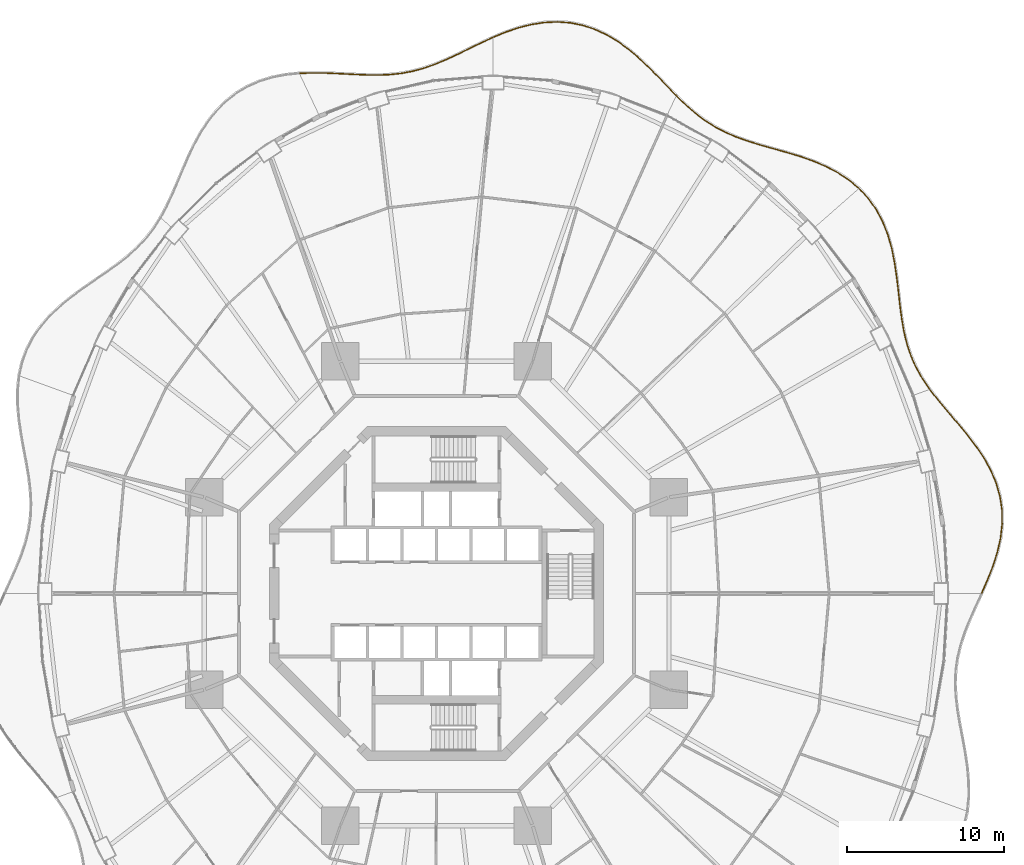
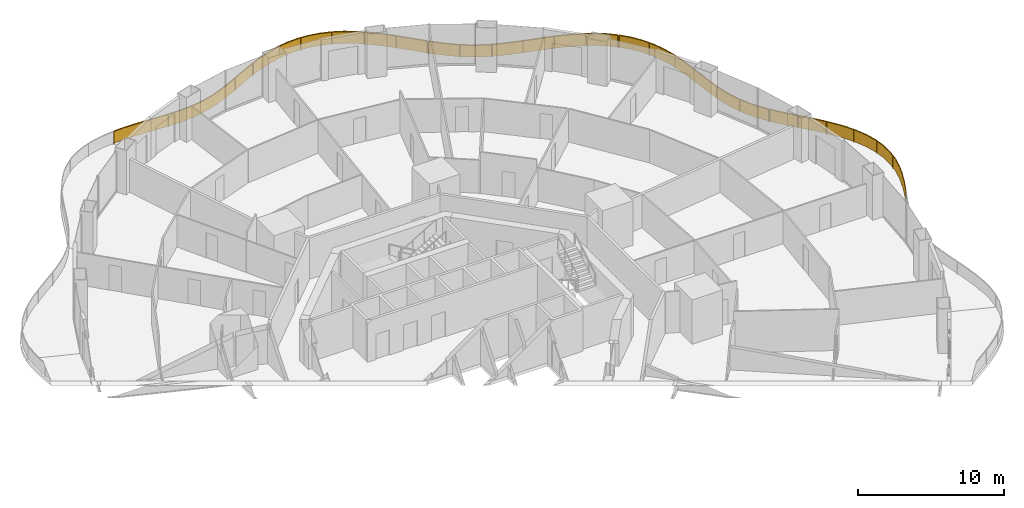
# One storey, part 22 of 22: 5 railings.
"""IFC4 building model written with IfcOpenShell, lengths in metres."""

from ifc_helpers import new_model, si_unit, direction, frame, origin, origin_2d, place, context, subcontext, project, spatial, polyline, rectangle, outline, extrude, material, type_object, element, save


model = new_model("IFC4")

# Units and contexts
model_context = context("Model", 3, precision=1e-05, world=origin(), true_north=direction((0.0, 1.0)))
body_context = subcontext(model_context, "Body", "Model", "MODEL_VIEW")
ifc_project = project(units=[si_unit("LENGTHUNIT", "METRE"), si_unit("AREAUNIT", "SQUARE_METRE"), si_unit("VOLUMEUNIT", "CUBIC_METRE"), si_unit("PLANEANGLEUNIT", "RADIAN"), si_unit("MASSUNIT", "GRAM", prefix="KILO")], contexts=[model_context])

# Site, building, storey
site_placement = place(None, origin())
site = spatial("IfcSite", under=ifc_project, at=site_placement, CompositionType="ELEMENT")
building_placement = place(site_placement, origin())
building = spatial("IfcBuilding", under=site, at=building_placement, Name="Nagisa Residences", CompositionType="ELEMENT")
storey_placement = place(building_placement, frame((0.0, 0.0, 49.199951171875)))
storey = spatial("IfcBuildingStorey", under=building, at=storey_placement, Name="L11", CompositionType="ELEMENT", Elevation=49.199951171875)

# Railings
ifc_material = material(Name="Stainless steel 316", Category="steel")
railing_type = type_object("IfcRailingType", Name="BALCONY GUARD 1100", PredefinedType="BALUSTRADE", material=ifc_material)
railing_1_placement = place(storey_placement, frame((34.689453125, 0.03466796875, 0.0)))
element("IfcRailing", 1, at=railing_1_placement, inside=storey, type_object=railing_type, Name="guard:L11:bal00-0", PredefinedType="BALUSTRADE", context=body_context, shape_type="SweptSolid", body=[
    extrude(outline(polyline([(0.339599609375, 0.828857421875), (-0.02294921875, 0.01025390625), (0.02294921875, -0.01025390625), (0.385986328125, 0.809326171875), (0.73095703125, 1.68701171875), (1.016357421875, 2.57763671875), (1.219482421875, 3.4765625), (1.322509765625, 4.37744140625), (1.31396484375, 5.259033203125), (1.185302734375, 6.1416015625), (0.939453125, 7.003662109375), (0.584228515625, 7.840087890625), (0.134033203125, 8.647216796875), (-0.38818359375, 9.41015625), (-0.96533203125, 10.157470703125), (-1.5693359375, 10.88037109375), (-2.174072265625, 11.584716796875), (-2.75537109375, 12.279541015625), (-3.267822265625, 12.940185546875), (-3.307373046875, 12.909423828125), (-2.79443359375, 12.248291015625), (-2.212158203125, 11.552490234375), (-1.607421875, 10.84814453125), (-1.00439453125, 10.126220703125), (-0.4287109375, 9.380859375), (0.091552734375, 8.620849609375), (0.539306640625, 7.818115234375), (0.89208984375, 6.987060546875), (1.136474609375, 6.130859375), (1.26416015625, 5.255126953125), (1.272216796875, 4.3798828125), (1.170166015625, 3.48486328125), (0.968017578125, 2.5908203125), (0.68359375, 1.70361328125), (0.339599609375, 0.828857421875)])), frame((0.0, 0.0, 1.050048828125)), (0.0, 0.0, 1.0), 0.050048828125),
    extrude(outline(polyline([(0.3564453125, 0.82177734375), (-0.00634765625, 0.0029296875), (0.00634765625, -0.0029296875), (0.369140625, 0.81640625), (0.7138671875, 1.69287109375), (0.9990234375, 2.582275390625), (1.20166015625, 3.4794921875), (1.304443359375, 4.37841796875), (1.296142578125, 5.257568359375), (1.167724609375, 6.1376953125), (0.92236328125, 6.997802734375), (0.568115234375, 7.832275390625), (0.11865234375, 8.6376953125), (-0.40283203125, 9.399658203125), (-0.9794921875, 10.146240234375), (-1.5830078125, 10.868896484375), (-2.187744140625, 11.5732421875), (-2.76953125, 12.268310546875), (-3.281982421875, 12.92919921875), (-3.293212890625, 12.92041015625), (-2.7802734375, 12.259521484375), (-2.198486328125, 11.56396484375), (-1.59375, 10.859619140625), (-0.990234375, 10.137451171875), (-0.4140625, 9.391357421875), (0.10693359375, 8.63037109375), (0.555419921875, 7.825927734375), (0.9091796875, 6.992919921875), (1.154052734375, 6.134765625), (1.281982421875, 5.256591796875), (1.290283203125, 4.37890625), (1.18798828125, 3.48193359375), (0.9853515625, 2.586181640625), (0.70068359375, 1.69775390625), (0.3564453125, 0.82177734375)])), frame((0.0, 0.0, 0.06005859375)), (0.0, 0.0, 1.0), 0.989990234375),
    extrude(rectangle(XDim=0.0400390625, YDim=0.0400390625, at=origin_2d()), origin(), (0.0, 0.0, 1.0), 1.050048828125),
    extrude(rectangle(XDim=0.0400390625, YDim=0.0400390625, at=origin_2d()), frame((0.78125, 1.92626953125, 0.0)), (0.0, 0.0, 1.0), 1.050048828125),
    extrude(rectangle(XDim=0.0400390625, YDim=0.0400390625, at=origin_2d()), frame((1.248046875, 3.94775390625, 0.0)), (0.0, 0.0, 1.0), 1.050048828125),
    extrude(rectangle(XDim=0.0400390625, YDim=0.0400390625, at=origin_2d()), frame((1.17822265625, 6.016845703125, 0.0)), (0.0, 0.0, 1.0), 1.050048828125),
    extrude(rectangle(XDim=0.0400390625, YDim=0.0400390625, at=origin_2d()), frame((0.483642578125, 7.968994140625, 0.0)), (0.0, 0.0, 1.0), 1.050048828125),
    extrude(rectangle(XDim=0.0400390625, YDim=0.0400390625, at=origin_2d()), frame((-0.650390625, 9.708740234375, 0.0)), (0.0, 0.0, 1.0), 1.050048828125),
    extrude(rectangle(XDim=0.0400390625, YDim=0.0400390625, at=origin_2d()), frame((-1.9736328125, 11.31298828125, 0.0)), (0.0, 0.0, 1.0), 1.050048828125),
    extrude(rectangle(XDim=0.0400390625, YDim=0.0400390625, at=origin_2d()), frame((-3.28759765625, 12.9248046875, 0.0)), (0.0, 0.0, 1.0), 1.050048828125),
])
railing_2_placement = place(storey_placement, frame((31.357666015625, 13.016845703125, 0.0)))
element("IfcRailing", 2, at=railing_2_placement, inside=storey, type_object=railing_type, Name="guard:L11:bal01-0", PredefinedType="BALUSTRADE", context=body_context, shape_type="SweptSolid", body=[
    extrude(outline(polyline([(-0.46142578125, 0.63525390625), (-0.020751953125, -0.01416015625), (0.020751953125, 0.01416015625), (-0.4189453125, 0.66162109375), (-0.8154296875, 1.36279296875), (-1.141357421875, 2.09033203125), (-1.39892578125, 2.8505859375), (-1.5947265625, 3.645751953125), (-1.734375, 4.4638671875), (-1.84765625, 5.32763671875), (-1.947509765625, 6.2177734375), (-2.054443359375, 7.1240234375), (-2.18994140625, 8.0341796875), (-2.364990234375, 8.922607421875), (-2.614013671875, 9.798583984375), (-2.942138671875, 10.635009765625), (-3.358154296875, 11.41796875), (-3.86572265625, 12.13623046875), (-4.431640625, 12.745361328125), (-4.46826171875, 12.711181640625), (-3.90478515625, 12.1044921875), (-3.400634765625, 11.3916015625), (-2.987548828125, 10.614013671875), (-2.661376953125, 9.782470703125), (-2.413818359375, 8.910888671875), (-2.2392578125, 8.02587890625), (-2.104248046875, 7.1171875), (-1.997314453125, 6.2119140625), (-1.8974609375, 5.32177734375), (-1.78369140625, 4.45654296875), (-1.6435546875, 3.635498046875), (-1.44677734375, 2.83642578125), (-1.188232421875, 2.072265625), (-0.8603515625, 1.34033203125), (-0.46142578125, 0.63525390625)])), frame((0.0, 0.0, 1.050048828125)), (0.0, 0.0, 1.0), 0.050048828125),
    extrude(outline(polyline([(-0.446044921875, 0.644775390625), (-0.005859375, -0.00390625), (0.005859375, 0.00390625), (-0.434326171875, 0.652099609375), (-0.83154296875, 1.354736328125), (-1.158203125, 2.083740234375), (-1.416015625, 2.845458984375), (-1.6123046875, 3.64208984375), (-1.752197265625, 4.461181640625), (-1.86572265625, 5.325439453125), (-1.965576171875, 6.215576171875), (-2.072509765625, 7.12158203125), (-2.207763671875, 8.03125), (-2.382568359375, 8.91845703125), (-2.631103515625, 9.792724609375), (-2.95849609375, 10.62744140625), (-3.37353515625, 11.408447265625), (-3.8798828125, 12.124755859375), (-4.44482421875, 12.733154296875), (-4.455078125, 12.723388671875), (-3.890625, 12.115966796875), (-3.38525390625, 11.401123046875), (-2.97119140625, 10.62158203125), (-2.644287109375, 9.788330078125), (-2.396240234375, 8.9150390625), (-2.221435546875, 8.02880859375), (-2.086181640625, 7.11962890625), (-1.979248046875, 6.214111328125), (-1.87939453125, 5.323974609375), (-1.765869140625, 4.459228515625), (-1.6259765625, 3.63916015625), (-1.4296875, 2.841552734375), (-1.17138671875, 2.078857421875), (-0.84423828125, 1.348388671875), (-0.446044921875, 0.644775390625)])), frame((0.0, 0.0, 0.06005859375)), (0.0, 0.0, 1.0), 0.989990234375),
    extrude(rectangle(XDim=0.0400390625, YDim=0.0400390625, at=origin_2d()), origin(), (0.0, 0.0, 1.0), 1.050048828125),
    extrude(rectangle(XDim=0.0400390625, YDim=0.0400390625, at=origin_2d()), frame((-1.123779296875, 1.98974609375, 0.0)), (0.0, 0.0, 1.0), 1.050048828125),
    extrude(rectangle(XDim=0.0400390625, YDim=0.0400390625, at=origin_2d()), frame((-1.714111328125, 4.197509765625, 0.0)), (0.0, 0.0, 1.0), 1.050048828125),
    extrude(rectangle(XDim=0.0400390625, YDim=0.0400390625, at=origin_2d()), frame((-2.00244140625, 6.4697265625, 0.0)), (0.0, 0.0, 1.0), 1.050048828125),
    extrude(rectangle(XDim=0.0400390625, YDim=0.0400390625, at=origin_2d()), frame((-2.35302734375, 8.732421875, 0.0)), (0.0, 0.0, 1.0), 1.050048828125),
    extrude(rectangle(XDim=0.0400390625, YDim=0.0400390625, at=origin_2d()), frame((-3.10498046875, 10.888427734375, 0.0)), (0.0, 0.0, 1.0), 1.050048828125),
    extrude(rectangle(XDim=0.0400390625, YDim=0.0400390625, at=origin_2d()), frame((-4.449951171875, 12.728271484375, 0.0)), (0.0, 0.0, 1.0), 1.050048828125),
])
railing_3_placement = place(storey_placement, frame((26.8515625, 25.798095703125, 0.0)))
element("IfcRailing", 3, at=railing_3_placement, inside=storey, type_object=railing_type, Name="guard:L11:bal02-0", PredefinedType="BALUSTRADE", context=body_context, shape_type="SweptSolid", body=[
    extrude(outline(polyline([(-0.62548828125, 0.48974609375), (-0.01611328125, -0.019287109375), (0.01611328125, 0.019287109375), (-0.595703125, 0.52978515625), (-1.310302734375, 1.000732421875), (-2.079345703125, 1.404296875), (-2.88818359375, 1.74755859375), (-3.7216796875, 2.041259765625), (-4.552490234375, 2.28759765625), (-5.389404296875, 2.52392578125), (-6.20849609375, 2.755126953125), (-6.99951171875, 2.99755859375), (-7.75537109375, 3.266357421875), (-8.458984375, 3.56494140625), (-9.13818359375, 3.921875), (-9.783203125, 4.333984375), (-10.39990234375, 4.802978515625), (-10.996826171875, 5.326416015625), (-11.551513671875, 5.866943359375), (-11.586669921875, 5.831298828125), (-11.031005859375, 5.289794921875), (-10.431640625, 4.764404296875), (-9.81201171875, 4.29296875), (-9.16357421875, 3.87841796875), (-8.48046875, 3.51953125), (-7.7734375, 3.219482421875), (-7.01513671875, 2.9501953125), (-6.22265625, 2.707275390625), (-5.403076171875, 2.4755859375), (-4.566162109375, 2.23974609375), (-3.7373046875, 1.993408203125), (-2.90625, 1.70068359375), (-2.100830078125, 1.35888671875), (-1.335693359375, 0.957763671875), (-0.62548828125, 0.48974609375)])), frame((0.0, 0.0, 1.050048828125)), (0.0, 0.0, 1.0), 0.050048828125),
    extrude(outline(polyline([(-0.61474609375, 0.504150390625), (-0.00439453125, -0.00537109375), (0.00439453125, 0.00537109375), (-0.6064453125, 0.515380859375), (-1.3193359375, 0.9853515625), (-2.087158203125, 1.387939453125), (-2.894775390625, 1.730712890625), (-3.727294921875, 2.02392578125), (-4.557373046875, 2.2705078125), (-5.394287109375, 2.506591796875), (-6.213623046875, 2.738037109375), (-7.005126953125, 2.98046875), (-7.761962890625, 3.24951171875), (-8.466796875, 3.548583984375), (-9.1474609375, 3.90625), (-9.793701171875, 4.3193359375), (-10.411376953125, 4.7890625), (-11.00927734375, 5.313232421875), (-11.564208984375, 5.854248046875), (-11.573974609375, 5.843994140625), (-11.0185546875, 5.302978515625), (-10.420166015625, 4.7783203125), (-9.801513671875, 4.3076171875), (-9.154296875, 3.89404296875), (-8.47265625, 3.535888671875), (-7.766845703125, 3.236328125), (-7.009521484375, 2.96728515625), (-6.217529296875, 2.724365234375), (-5.398193359375, 2.492919921875), (-4.561279296875, 2.2568359375), (-3.731689453125, 2.0107421875), (-2.899658203125, 1.717529296875), (-2.093017578125, 1.375244140625), (-1.32666015625, 0.97314453125), (-0.61474609375, 0.504150390625)])), frame((0.0, 0.0, 0.06005859375)), (0.0, 0.0, 1.0), 0.989990234375),
    extrude(rectangle(XDim=0.0400390625, YDim=0.0400390625, at=origin_2d()), origin(), (0.0, 0.0, 1.0), 1.050048828125),
    extrude(rectangle(XDim=0.0400390625, YDim=0.0400390625, at=origin_2d()), frame((-1.802734375, 1.23095703125, 0.0)), (0.0, 0.0, 1.0), 1.050048828125),
    extrude(rectangle(XDim=0.0400390625, YDim=0.0400390625, at=origin_2d()), frame((-3.83203125, 2.0478515625, 0.0)), (0.0, 0.0, 1.0), 1.050048828125),
    extrude(rectangle(XDim=0.0400390625, YDim=0.0400390625, at=origin_2d()), frame((-5.937255859375, 2.652587890625, 0.0)), (0.0, 0.0, 1.0), 1.050048828125),
    extrude(rectangle(XDim=0.0400390625, YDim=0.0400390625, at=origin_2d()), frame((-8.0126953125, 3.34814453125, 0.0)), (0.0, 0.0, 1.0), 1.050048828125),
    extrude(rectangle(XDim=0.0400390625, YDim=0.0400390625, at=origin_2d()), frame((-9.92236328125, 4.408447265625, 0.0)), (0.0, 0.0, 1.0), 1.050048828125),
    extrude(rectangle(XDim=0.0400390625, YDim=0.0400390625, at=origin_2d()), frame((-11.569091796875, 5.84912109375, 0.0)), (0.0, 0.0, 1.0), 1.050048828125),
])
railing_4_placement = place(storey_placement, frame((15.2314453125, 31.700927734375, 0.0)))
element("IfcRailing", 4, at=railing_4_placement, inside=storey, type_object=railing_type, Name="guard:L11:bal03-0", PredefinedType="BALUSTRADE", context=body_context, shape_type="SweptSolid", body=[
    extrude(outline(polyline([(-0.552978515625, 0.53564453125), (-0.01806640625, -0.017333984375), (0.01806640625, 0.017333984375), (-0.516845703125, 0.5703125), (-1.095458984375, 1.172607421875), (-1.69287109375, 1.77734375), (-2.3173828125, 2.366943359375), (-2.972900390625, 2.923095703125), (-3.646484375, 3.42236328125), (-4.3720703125, 3.85888671875), (-5.130615234375, 4.212646484375), (-5.918212890625, 4.47412109375), (-6.72900390625, 4.63623046875), (-7.53955078125, 4.694091796875), (-8.373291015625, 4.6552734375), (-9.208740234375, 4.52490234375), (-10.036865234375, 4.3134765625), (-10.852294921875, 4.035888671875), (-11.605712890625, 3.72412109375), (-11.586669921875, 3.677734375), (-10.834716796875, 3.989013671875), (-10.022705078125, 4.265625), (-9.198486328125, 4.4755859375), (-8.368408203125, 4.60546875), (-7.5400390625, 4.643798828125), (-6.73583984375, 4.58642578125), (-5.930908203125, 4.42578125), (-5.149169921875, 4.166259765625), (-4.3955078125, 3.814453125), (-3.67431640625, 3.380859375), (-3.004150390625, 2.884033203125), (-2.3505859375, 2.329833984375), (-1.72802734375, 1.74169921875), (-1.131103515625, 1.137451171875), (-0.552978515625, 0.53564453125)])), frame((0.0, 0.0, 1.050048828125)), (0.0, 0.0, 1.0), 0.050048828125),
    extrude(outline(polyline([(-0.5400390625, 0.548095703125), (-0.005126953125, -0.0048828125), (0.005126953125, 0.0048828125), (-0.52978515625, 0.557861328125), (-1.108154296875, 1.159912109375), (-1.70556640625, 1.7646484375), (-2.329345703125, 2.353515625), (-2.984130859375, 2.908935546875), (-3.656494140625, 3.407470703125), (-4.380615234375, 3.8427734375), (-5.13720703125, 4.196044921875), (-5.9228515625, 4.456787109375), (-6.7314453125, 4.6181640625), (-7.539794921875, 4.676025390625), (-8.37158203125, 4.637451171875), (-9.205078125, 4.507080078125), (-10.03173828125, 4.29638671875), (-10.845947265625, 4.01904296875), (-11.598876953125, 3.707275390625), (-11.593505859375, 3.694580078125), (-10.841064453125, 4.005859375), (-10.02783203125, 4.28271484375), (-9.2021484375, 4.493408203125), (-8.3701171875, 4.623291015625), (-7.539794921875, 4.661865234375), (-6.7333984375, 4.6044921875), (-5.92626953125, 4.443115234375), (-5.142578125, 4.182861328125), (-4.386962890625, 3.83056640625), (-3.664306640625, 3.395751953125), (-2.992919921875, 2.898193359375), (-2.338623046875, 2.34326171875), (-1.71533203125, 1.75439453125), (-1.118408203125, 1.150146484375), (-0.5400390625, 0.548095703125)])), frame((0.0, 0.0, 0.06005859375)), (0.0, 0.0, 1.0), 0.989990234375),
    extrude(rectangle(XDim=0.0400390625, YDim=0.0400390625, at=origin_2d()), origin(), (0.0, 0.0, 1.0), 1.050048828125),
    extrude(rectangle(XDim=0.0400390625, YDim=0.0400390625, at=origin_2d()), frame((-1.549072265625, 1.59619140625, 0.0)), (0.0, 0.0, 1.0), 1.050048828125),
    extrude(rectangle(XDim=0.0400390625, YDim=0.0400390625, at=origin_2d()), frame((-3.212646484375, 3.069580078125, 0.0)), (0.0, 0.0, 1.0), 1.050048828125),
    extrude(rectangle(XDim=0.0400390625, YDim=0.0400390625, at=origin_2d()), frame((-5.12939453125, 4.1845703125, 0.0)), (0.0, 0.0, 1.0), 1.050048828125),
    extrude(rectangle(XDim=0.0400390625, YDim=0.0400390625, at=origin_2d()), frame((-7.293212890625, 4.6513671875, 0.0)), (0.0, 0.0, 1.0), 1.050048828125),
    extrude(rectangle(XDim=0.0400390625, YDim=0.0400390625, at=origin_2d()), frame((-9.49658203125, 4.425537109375, 0.0)), (0.0, 0.0, 1.0), 1.050048828125),
    extrude(rectangle(XDim=0.0400390625, YDim=0.0400390625, at=origin_2d()), frame((-11.59619140625, 3.700927734375, 0.0)), (0.0, 0.0, 1.0), 1.050048828125),
])
railing_5_placement = place(storey_placement, frame((3.5654296875, 35.3701171875, 0.0)))
element("IfcRailing", 5, at=railing_5_placement, inside=storey, type_object=railing_type, Name="guard:L11:bal04-0", PredefinedType="BALUSTRADE", context=body_context, shape_type="SweptSolid", body=[
    extrude(outline(polyline([(-0.723388671875, -0.3623046875), (0.010498046875, -0.022705078125), (-0.010498046875, 0.022705078125), (-0.744873046875, -0.31689453125), (-1.503173828125, -0.685302734375), (-2.243408203125, -1.045654296875), (-2.968994140625, -1.382080078125), (-3.685302734375, -1.6796875), (-4.380615234375, -1.92529296875), (-5.09716796875, -2.1181640625), (-5.823974609375, -2.252685546875), (-6.566650390625, -2.331787109375), (-7.330078125, -2.361328125), (-8.099853515625, -2.347412109375), (-8.909423828125, -2.31298828125), (-9.740234375, -2.26904296875), (-10.58740234375, -2.23291015625), (-11.4443359375, -2.2216796875), (-12.25439453125, -2.248779296875), (-12.2529296875, -2.298583984375), (-11.44384765625, -2.27197265625), (-10.5888671875, -2.28271484375), (-9.74267578125, -2.31884765625), (-8.911865234375, -2.36279296875), (-8.101318359375, -2.397216796875), (-7.32958984375, -2.41162109375), (-6.563232421875, -2.381591796875), (-5.816650390625, -2.302490234375), (-5.0859375, -2.1669921875), (-4.365966796875, -1.97314453125), (-3.667236328125, -1.7265625), (-2.948974609375, -1.427978515625), (-2.221923828125, -1.091064453125), (-1.481201171875, -0.730224609375), (-0.723388671875, -0.3623046875)])), frame((0.0, 0.0, 1.050048828125)), (0.0, 0.0, 1.0), 0.050048828125),
    extrude(outline(polyline([(-0.731201171875, -0.345947265625), (0.0029296875, -0.00634765625), (-0.0029296875, 0.00634765625), (-0.737060546875, -0.333251953125), (-1.495361328125, -0.701416015625), (-2.235595703125, -1.06201171875), (-2.9619140625, -1.398681640625), (-3.6787109375, -1.696533203125), (-4.37548828125, -1.942626953125), (-5.093017578125, -2.1357421875), (-5.8212890625, -2.270751953125), (-6.5654296875, -2.349609375), (-7.329833984375, -2.37939453125), (-8.100341796875, -2.365234375), (-8.910400390625, -2.330810546875), (-9.7412109375, -2.286865234375), (-10.587890625, -2.250732421875), (-11.444091796875, -2.23974609375), (-12.25390625, -2.2666015625), (-12.25341796875, -2.28076171875), (-11.444091796875, -2.25390625), (-10.58837890625, -2.264892578125), (-9.74169921875, -2.301025390625), (-8.910888671875, -2.344970703125), (-8.100830078125, -2.37939453125), (-7.329833984375, -2.3935546875), (-6.564453125, -2.36376953125), (-5.8193359375, -2.284423828125), (-5.090087890625, -2.1494140625), (-4.37109375, -1.955810546875), (-3.673828125, -1.709716796875), (-2.9560546875, -1.411376953125), (-2.229736328125, -1.07470703125), (-1.489013671875, -0.714111328125), (-0.731201171875, -0.345947265625)])), frame((0.0, 0.0, 0.06005859375)), (0.0, 0.0, 1.0), 0.989990234375),
    extrude(rectangle(XDim=0.0400390625, YDim=0.0400390625, at=origin_2d()), origin(), (0.0, 0.0, 1.0), 1.050048828125),
    extrude(rectangle(XDim=0.0400390625, YDim=0.0400390625, at=origin_2d()), frame((-1.9130859375, -0.91259765625, 0.0)), (0.0, 0.0, 1.0), 1.050048828125),
    extrude(rectangle(XDim=0.0400390625, YDim=0.0400390625, at=origin_2d()), frame((-3.8525390625, -1.765380859375, 0.0)), (0.0, 0.0, 1.0), 1.050048828125),
    extrude(rectangle(XDim=0.0400390625, YDim=0.0400390625, at=origin_2d()), frame((-5.902099609375, -2.286376953125, 0.0)), (0.0, 0.0, 1.0), 1.050048828125),
    extrude(rectangle(XDim=0.0400390625, YDim=0.0400390625, at=origin_2d()), frame((-8.017578125, -2.373779296875, 0.0)), (0.0, 0.0, 1.0), 1.050048828125),
    extrude(rectangle(XDim=0.0400390625, YDim=0.0400390625, at=origin_2d()), frame((-10.135009765625, -2.277099609375, 0.0)), (0.0, 0.0, 1.0), 1.050048828125),
    extrude(rectangle(XDim=0.0400390625, YDim=0.0400390625, at=origin_2d()), frame((-12.253662109375, -2.273681640625, 0.0)), (0.0, 0.0, 1.0), 1.050048828125),
])

save(model, "model.ifc")
